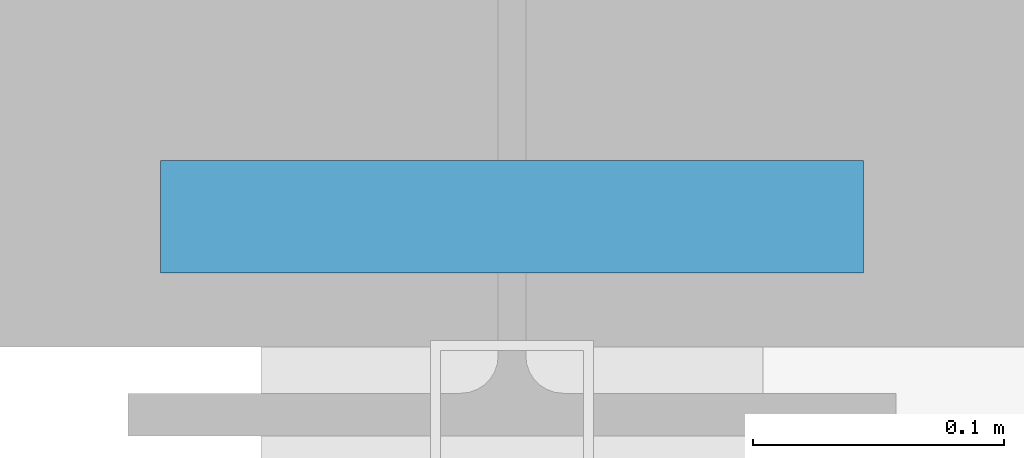
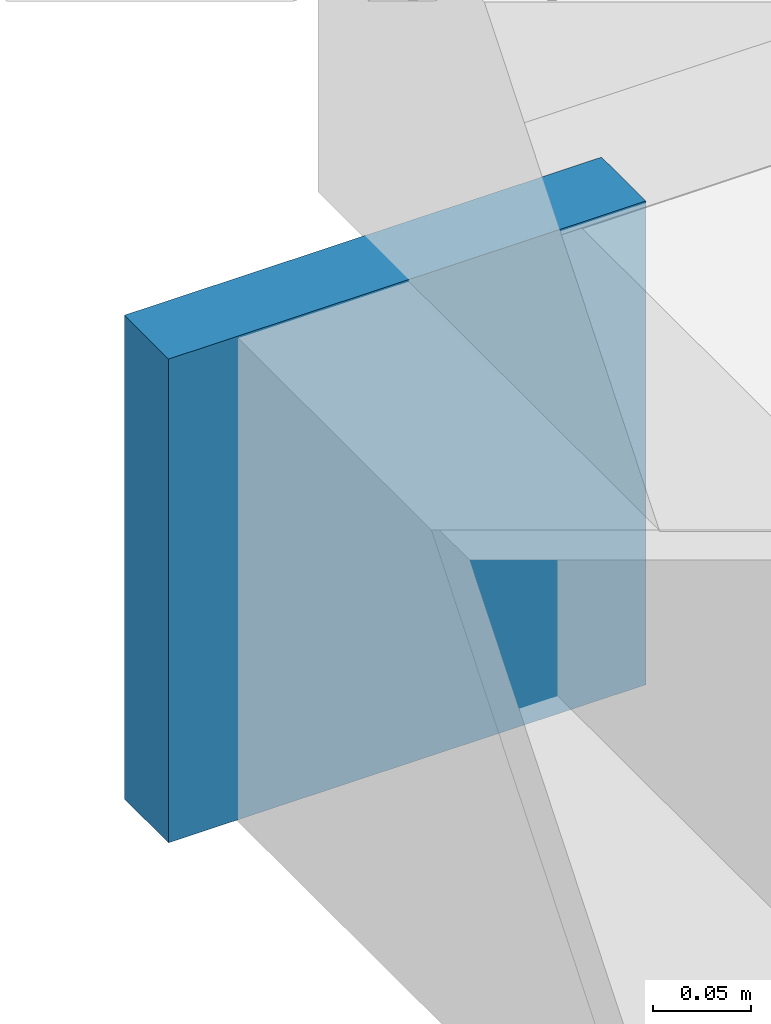
# One storey, part 147 of 166: 1 plate.
"""IFC4 building model written with IfcOpenShell, lengths in metres."""

from ifc_helpers import new_model, si_unit, direction, frame, origin, origin_2d, place, context, subcontext, project, spatial, rectangle, extrude, material, layer, layer_set, type_object, element, save


model = new_model("IFC4")

# Units and contexts
model_context = context("Model", 3, precision=1e-05, world=origin(), true_north=direction((0.0, 1.0)))
body_context = subcontext(model_context, "Body", "Model", "MODEL_VIEW")
ifc_project = project(units=[si_unit("LENGTHUNIT", "METRE"), si_unit("AREAUNIT", "SQUARE_METRE"), si_unit("VOLUMEUNIT", "CUBIC_METRE"), si_unit("PLANEANGLEUNIT", "RADIAN"), si_unit("MASSUNIT", "GRAM", prefix="KILO")], contexts=[model_context])

# Site, building, storey
site_placement = place(None, origin())
site = spatial("IfcSite", under=ifc_project, at=site_placement, CompositionType="ELEMENT")
building_placement = place(site_placement, origin())
building = spatial("IfcBuilding", under=site, at=building_placement, Name="Caisbarro Railhouse Central Library", CompositionType="ELEMENT")
storey_placement = place(building_placement, frame((0.0, 0.0, 9.360107421875)))
storey = spatial("IfcBuildingStorey", under=building, at=storey_placement, Name="L02", CompositionType="ELEMENT", Elevation=9.360107421875)

# Plate
ifc_material = material(Name="Steel ASTM A572 Grade 50", Category="steel")
ifc_layer = layer(ifc_material, 0.044921875, Name="Steel ASTM A572 Grade 50")
ifc_layer_set = layer_set([ifc_layer], Name="Steel ASTM A572 Grade 50")
plate_type = type_object("IfcPlateType", Name="PLT-EP01", PredefinedType="SHEET", material=ifc_layer_set)
plate_placement = place(storey_placement, frame((117.0, 113.931884765625, -0.52001953125), z_axis=(0.0, 0.0, 1.0), x_axis=(0.0, 1.0, 0.0)))
element("IfcPlate", 1, at=plate_placement, inside=storey, type_object=plate_type, Name="EP01 end cap plate", PredefinedType="SHEET", context=body_context, shape_type="SweptSolid", body=[
    extrude(rectangle(XDim=0.044921875, YDim=0.280029296875, at=origin_2d()), origin(), (0.0, 0.0, 1.0), 0.300048828125),
])

save(model, "model.ifc")
